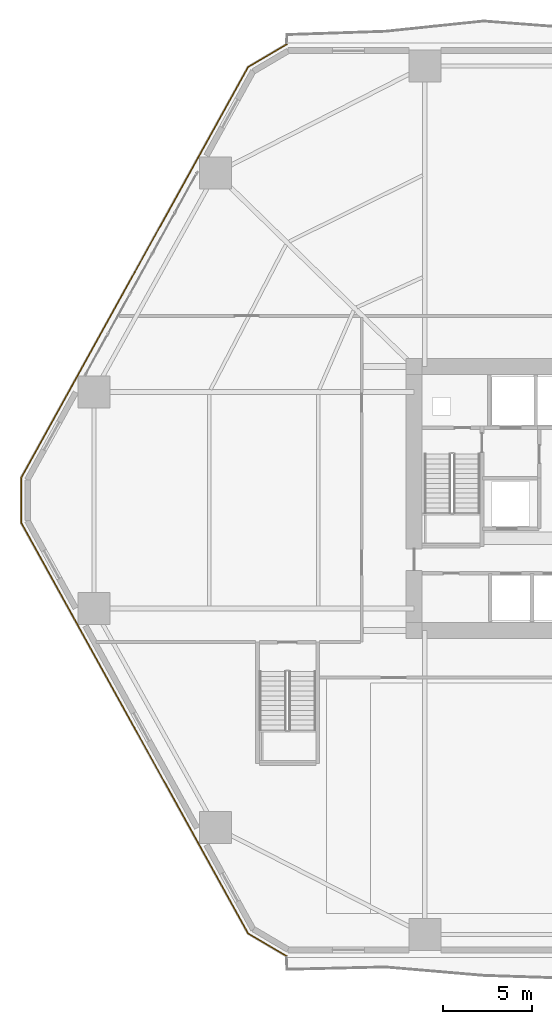
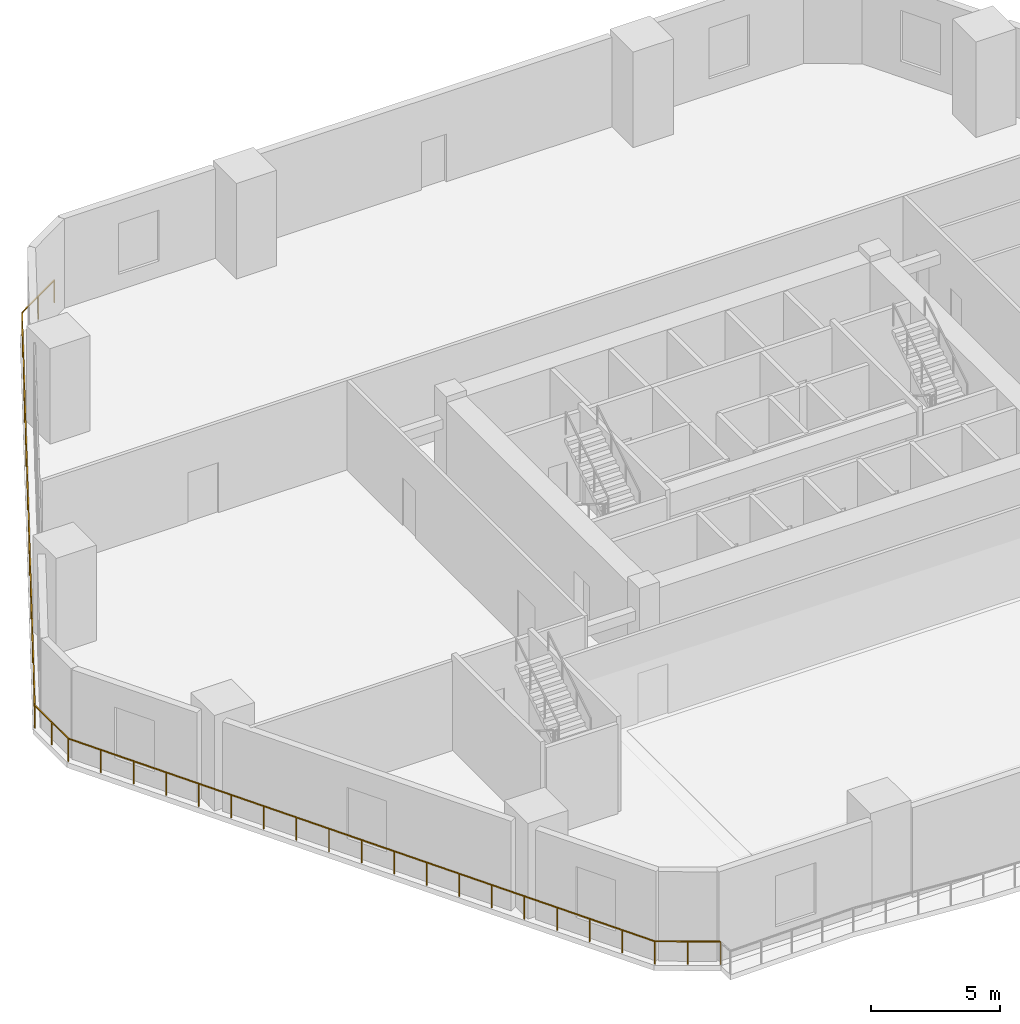
# One storey, part 16 of 18: 1 railing.
"""IFC4 building model written with IfcOpenShell, lengths in metres."""

from ifc_helpers import new_model, si_unit, direction, frame, origin, origin_2d, place, context, subcontext, project, spatial, rectangle, extrude, material, type_object, element, save


model = new_model("IFC4")

# Units and contexts
model_context = context("Model", 3, precision=1e-05, world=origin(), true_north=direction((0.0, 1.0)))
body_context = subcontext(model_context, "Body", "Model", "MODEL_VIEW")
ifc_project = project(units=[si_unit("LENGTHUNIT", "METRE"), si_unit("AREAUNIT", "SQUARE_METRE"), si_unit("VOLUMEUNIT", "CUBIC_METRE"), si_unit("PLANEANGLEUNIT", "RADIAN"), si_unit("MASSUNIT", "GRAM", prefix="KILO")], contexts=[model_context])

# Site, building, storey
site_placement = place(None, origin())
site = spatial("IfcSite", under=ifc_project, at=site_placement, CompositionType="ELEMENT")
building_placement = place(site_placement, origin())
building = spatial("IfcBuilding", under=site, at=building_placement, Name="Cinnabar Lancet Tower", CompositionType="ELEMENT")
storey_placement = place(building_placement, frame((0.0, 0.0, 15.0)))
storey = spatial("IfcBuildingStorey", under=building, at=storey_placement, Name="L03", CompositionType="ELEMENT", Elevation=15.0)

# Railing
ifc_material = material(Name="Laminated safety glass and bronze stainless steel balustrade", Category="steel")
railing_type = type_object("IfcRailingType", Name="ENV-RLG-BAL-1100", PredefinedType="BALUSTRADE", material=ifc_material)
railing_placement = place(storey_placement, frame((15.778076171875, 51.52001953125, 0.0)))
element("IfcRailing", 1, at=railing_placement, inside=storey, type_object=railing_type, Name="L03 West Perimeter Overhang Edge Balustrade", PredefinedType="BALUSTRADE", context=body_context, shape_type="SweptSolid", body=[
    extrude(rectangle(XDim=0.048095703125, YDim=0.048095703125, at=origin_2d()), frame((0.0, 0.0, 1.076171875), z_axis=(-0.86125159245, -0.508178801705, 0.0), x_axis=(0.508178801705, -0.86125159245, 0.0)), (0.0, 0.0, 1.0), 2.54052734375),
    extrude(rectangle(XDim=0.048095703125, YDim=0.048095703125, at=origin_2d()), frame((-2.18798828125, -1.291015625, 1.076171875), z_axis=(-0.483655391037, -0.875258511938, 0.0), x_axis=(0.875258511938, -0.483655391037, 0.0)), (0.0, 0.0, 1.0), 26.434326171875),
    extrude(rectangle(XDim=0.048095703125, YDim=0.048095703125, at=origin_2d()), frame((-14.97314453125, -24.427978515625, 1.076171875), z_axis=(0.0, -1.0, 0.0), x_axis=(1.0, 0.0, 0.0)), (0.0, 0.0, 1.0), 2.583984375),
    extrude(rectangle(XDim=0.048095703125, YDim=0.048095703125, at=origin_2d()), frame((-14.97314453125, -27.011962890625, 1.076171875), z_axis=(0.483655391037, -0.875258511938, 0.0), x_axis=(0.875258511938, 0.483655391037, 0.0)), (0.0, 0.0, 1.0), 26.434326171875),
    extrude(rectangle(XDim=0.048095703125, YDim=0.048095703125, at=origin_2d()), frame((-2.18798828125, -50.14892578125, 1.076171875), z_axis=(0.86125159245, -0.508178801705, 0.0), x_axis=(0.508178801705, 0.86125159245, 0.0)), (0.0, 0.0, 1.0), 2.54052734375),
    extrude(rectangle(XDim=0.0419921875, YDim=0.0419921875, at=origin_2d()), origin(), (0.0, 0.0, 1.0), 1.052001953125),
    extrude(rectangle(XDim=0.0419921875, YDim=0.0419921875, at=origin_2d()), frame((-1.093994140625, -0.6455078125, 0.0)), (0.0, 0.0, 1.0), 1.052001953125),
    extrude(rectangle(XDim=0.0419921875, YDim=0.0419921875, at=origin_2d()), frame((-2.18798828125, -1.291015625, 0.0)), (0.0, 0.0, 1.0), 1.052001953125),
    extrude(rectangle(XDim=0.0419921875, YDim=0.0419921875, at=origin_2d()), frame((-2.898193359375, -2.576416015625, 0.0)), (0.0, 0.0, 1.0), 1.052001953125),
    extrude(rectangle(XDim=0.0419921875, YDim=0.0419921875, at=origin_2d()), frame((-3.608642578125, -3.86181640625, 0.0)), (0.0, 0.0, 1.0), 1.052001953125),
    extrude(rectangle(XDim=0.0419921875, YDim=0.0419921875, at=origin_2d()), frame((-4.31884765625, -5.147216796875, 0.0)), (0.0, 0.0, 1.0), 1.052001953125),
    extrude(rectangle(XDim=0.0419921875, YDim=0.0419921875, at=origin_2d()), frame((-5.029052734375, -6.4326171875, 0.0)), (0.0, 0.0, 1.0), 1.052001953125),
    extrude(rectangle(XDim=0.0419921875, YDim=0.0419921875, at=origin_2d()), frame((-5.739501953125, -7.718017578125, 0.0)), (0.0, 0.0, 1.0), 1.052001953125),
    extrude(rectangle(XDim=0.0419921875, YDim=0.0419921875, at=origin_2d()), frame((-6.44970703125, -9.00341796875, 0.0)), (0.0, 0.0, 1.0), 1.052001953125),
    extrude(rectangle(XDim=0.0419921875, YDim=0.0419921875, at=origin_2d()), frame((-7.159912109375, -10.288818359375, 0.0)), (0.0, 0.0, 1.0), 1.052001953125),
    extrude(rectangle(XDim=0.0419921875, YDim=0.0419921875, at=origin_2d()), frame((-7.870361328125, -11.57421875, 0.0)), (0.0, 0.0, 1.0), 1.052001953125),
    extrude(rectangle(XDim=0.0419921875, YDim=0.0419921875, at=origin_2d()), frame((-8.58056640625, -12.859375, 0.0)), (0.0, 0.0, 1.0), 1.052001953125),
    extrude(rectangle(XDim=0.0419921875, YDim=0.0419921875, at=origin_2d()), frame((-9.290771484375, -14.144775390625, 0.0)), (0.0, 0.0, 1.0), 1.052001953125),
    extrude(rectangle(XDim=0.0419921875, YDim=0.0419921875, at=origin_2d()), frame((-10.001220703125, -15.43017578125, 0.0)), (0.0, 0.0, 1.0), 1.052001953125),
    extrude(rectangle(XDim=0.0419921875, YDim=0.0419921875, at=origin_2d()), frame((-10.71142578125, -16.715576171875, 0.0)), (0.0, 0.0, 1.0), 1.052001953125),
    extrude(rectangle(XDim=0.0419921875, YDim=0.0419921875, at=origin_2d()), frame((-11.421630859375, -18.0009765625, 0.0)), (0.0, 0.0, 1.0), 1.052001953125),
    extrude(rectangle(XDim=0.0419921875, YDim=0.0419921875, at=origin_2d()), frame((-12.132080078125, -19.286376953125, 0.0)), (0.0, 0.0, 1.0), 1.052001953125),
    extrude(rectangle(XDim=0.0419921875, YDim=0.0419921875, at=origin_2d()), frame((-12.84228515625, -20.57177734375, 0.0)), (0.0, 0.0, 1.0), 1.052001953125),
    extrude(rectangle(XDim=0.0419921875, YDim=0.0419921875, at=origin_2d()), frame((-13.552490234375, -21.857177734375, 0.0)), (0.0, 0.0, 1.0), 1.052001953125),
    extrude(rectangle(XDim=0.0419921875, YDim=0.0419921875, at=origin_2d()), frame((-14.262939453125, -23.142578125, 0.0)), (0.0, 0.0, 1.0), 1.052001953125),
    extrude(rectangle(XDim=0.0419921875, YDim=0.0419921875, at=origin_2d()), frame((-14.97314453125, -24.427978515625, 0.0)), (0.0, 0.0, 1.0), 1.052001953125),
    extrude(rectangle(XDim=0.0419921875, YDim=0.0419921875, at=origin_2d()), frame((-14.97314453125, -25.719970703125, 0.0)), (0.0, 0.0, 1.0), 1.052001953125),
    extrude(rectangle(XDim=0.0419921875, YDim=0.0419921875, at=origin_2d()), frame((-14.97314453125, -27.011962890625, 0.0)), (0.0, 0.0, 1.0), 1.052001953125),
    extrude(rectangle(XDim=0.0419921875, YDim=0.0419921875, at=origin_2d()), frame((-14.262939453125, -28.29736328125, 0.0)), (0.0, 0.0, 1.0), 1.052001953125),
    extrude(rectangle(XDim=0.0419921875, YDim=0.0419921875, at=origin_2d()), frame((-13.552490234375, -29.582763671875, 0.0)), (0.0, 0.0, 1.0), 1.052001953125),
    extrude(rectangle(XDim=0.0419921875, YDim=0.0419921875, at=origin_2d()), frame((-12.84228515625, -30.8681640625, 0.0)), (0.0, 0.0, 1.0), 1.052001953125),
    extrude(rectangle(XDim=0.0419921875, YDim=0.0419921875, at=origin_2d()), frame((-12.132080078125, -32.153564453125, 0.0)), (0.0, 0.0, 1.0), 1.052001953125),
    extrude(rectangle(XDim=0.0419921875, YDim=0.0419921875, at=origin_2d()), frame((-11.421630859375, -33.43896484375, 0.0)), (0.0, 0.0, 1.0), 1.052001953125),
    extrude(rectangle(XDim=0.0419921875, YDim=0.0419921875, at=origin_2d()), frame((-10.71142578125, -34.724365234375, 0.0)), (0.0, 0.0, 1.0), 1.052001953125),
    extrude(rectangle(XDim=0.0419921875, YDim=0.0419921875, at=origin_2d()), frame((-10.001220703125, -36.009765625, 0.0)), (0.0, 0.0, 1.0), 1.052001953125),
    extrude(rectangle(XDim=0.0419921875, YDim=0.0419921875, at=origin_2d()), frame((-9.290771484375, -37.295166015625, 0.0)), (0.0, 0.0, 1.0), 1.052001953125),
    extrude(rectangle(XDim=0.0419921875, YDim=0.0419921875, at=origin_2d()), frame((-8.58056640625, -38.58056640625, 0.0)), (0.0, 0.0, 1.0), 1.052001953125),
    extrude(rectangle(XDim=0.0419921875, YDim=0.0419921875, at=origin_2d()), frame((-7.870361328125, -39.86572265625, 0.0)), (0.0, 0.0, 1.0), 1.052001953125),
    extrude(rectangle(XDim=0.0419921875, YDim=0.0419921875, at=origin_2d()), frame((-7.159912109375, -41.151123046875, 0.0)), (0.0, 0.0, 1.0), 1.052001953125),
    extrude(rectangle(XDim=0.0419921875, YDim=0.0419921875, at=origin_2d()), frame((-6.44970703125, -42.4365234375, 0.0)), (0.0, 0.0, 1.0), 1.052001953125),
    extrude(rectangle(XDim=0.0419921875, YDim=0.0419921875, at=origin_2d()), frame((-5.739501953125, -43.721923828125, 0.0)), (0.0, 0.0, 1.0), 1.052001953125),
    extrude(rectangle(XDim=0.0419921875, YDim=0.0419921875, at=origin_2d()), frame((-5.029052734375, -45.00732421875, 0.0)), (0.0, 0.0, 1.0), 1.052001953125),
    extrude(rectangle(XDim=0.0419921875, YDim=0.0419921875, at=origin_2d()), frame((-4.31884765625, -46.292724609375, 0.0)), (0.0, 0.0, 1.0), 1.052001953125),
    extrude(rectangle(XDim=0.0419921875, YDim=0.0419921875, at=origin_2d()), frame((-3.608642578125, -47.578125, 0.0)), (0.0, 0.0, 1.0), 1.052001953125),
    extrude(rectangle(XDim=0.0419921875, YDim=0.0419921875, at=origin_2d()), frame((-2.898193359375, -48.863525390625, 0.0)), (0.0, 0.0, 1.0), 1.052001953125),
    extrude(rectangle(XDim=0.0419921875, YDim=0.0419921875, at=origin_2d()), frame((-2.18798828125, -50.14892578125, 0.0)), (0.0, 0.0, 1.0), 1.052001953125),
    extrude(rectangle(XDim=0.0419921875, YDim=0.0419921875, at=origin_2d()), frame((-1.093994140625, -50.79443359375, 0.0)), (0.0, 0.0, 1.0), 1.052001953125),
    extrude(rectangle(XDim=0.0419921875, YDim=0.0419921875, at=origin_2d()), frame((0.0, -51.43994140625, 0.0)), (0.0, 0.0, 1.0), 1.052001953125),
])

save(model, "model.ifc")
